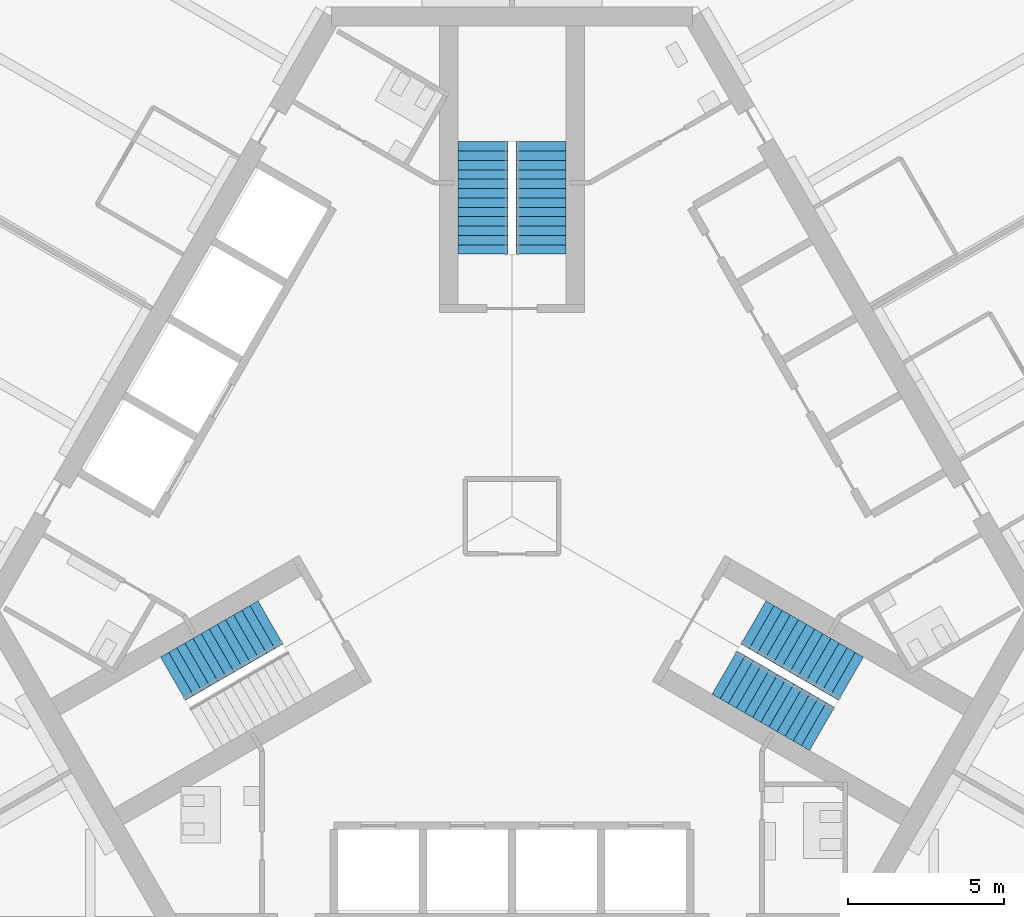
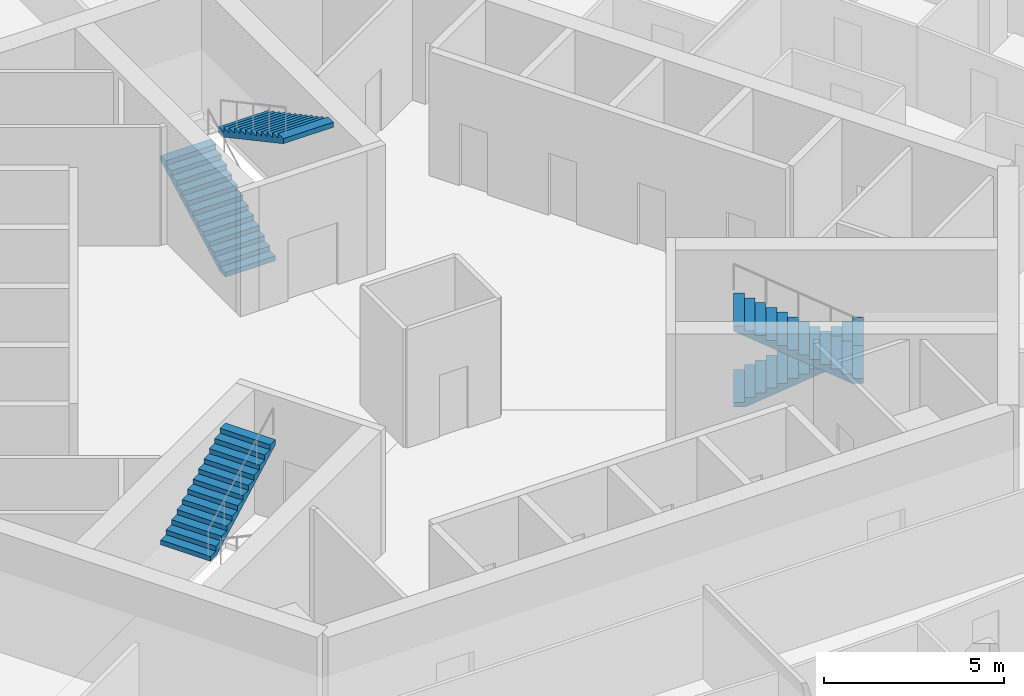
# One storey, part 11 of 16: 5 stair flights, 3 elements without a shape of their own.
"""IFC4 building model written with IfcOpenShell, lengths in metres."""

from ifc_helpers import new_model, si_unit, direction, frame, origin, place, context, subcontext, project, spatial, polyline, outline, extrude, material, type_object, element, aggregate, save


model = new_model("IFC4")

# Units and contexts
model_context = context("Model", 3, precision=1e-05, world=origin(), true_north=direction((0.0, 1.0)))
body_context = subcontext(model_context, "Body", "Model", "MODEL_VIEW")
ifc_project = project(units=[si_unit("LENGTHUNIT", "METRE"), si_unit("AREAUNIT", "SQUARE_METRE"), si_unit("VOLUMEUNIT", "CUBIC_METRE"), si_unit("PLANEANGLEUNIT", "RADIAN"), si_unit("MASSUNIT", "GRAM", prefix="KILO")], contexts=[model_context])

# Site, building, storey
site_placement = place(None, origin())
site = spatial("IfcSite", under=ifc_project, at=site_placement, CompositionType="ELEMENT")
building_placement = place(site_placement, origin())
building = spatial("IfcBuilding", under=site, at=building_placement, Name="Trefoil Bronze Tower", CompositionType="ELEMENT")
storey_placement = place(building_placement, frame((0.0, 0.0, 318.300048828125)))
storey = spatial("IfcBuildingStorey", under=building, at=storey_placement, Name="L73", CompositionType="ELEMENT", Elevation=318.300048828125)

# Stair, stair flights
ifc_material_1 = material(Name="Precast concrete B80", Category="concrete")
stair_type = type_object("IfcStairType", Name="Exit stair 26 risers", PredefinedType="HALF_TURN_STAIR", material=ifc_material_1)
stair_1_placement = place(storey_placement, origin())
stair_1 = element("IfcStair", 1, at=stair_1_placement, inside=storey, type_object=stair_type, Name="Stair ST1 L73", PredefinedType="HALF_TURN_STAIR")
ifc_material_2 = material(Name="Precast concrete B80", Category="concrete")
stair_flight_type = type_object("IfcStairFlightType", Name="Stair flight 1600", PredefinedType="STRAIGHT", material=ifc_material_2)
stair_flight_1_placement = place(storey_placement, frame((7.728515625, -3.39404296875, 0.0), z_axis=(0.0, 0.0, 1.0), x_axis=(0.866025403784, -0.5, 0.0)))
stair_flight_1 = element("IfcStairFlight", 2, at=stair_flight_1_placement, type_object=stair_flight_type, Name="ST1 flight 1", NumberOfRisers=13, NumberOfTreads=12, PredefinedType="STRAIGHT", RiserHeight=0.161538462, TreadLength=0.3, context=body_context, shape_type="SweptSolid", body=[
    extrude(outline(polyline([(0.0, 0.0), (0.0, 0.16162109375), (0.300048828125, 0.16162109375), (0.300048828125, 0.322998046875), (0.60009765625, 0.322998046875), (0.60009765625, 0.484619140625), (0.89990234375, 0.484619140625), (0.89990234375, 0.646240234375), (1.199951171875, 0.646240234375), (1.199951171875, 0.8076171875), (1.5, 0.8076171875), (1.5, 0.96923828125), (1.800048828125, 0.96923828125), (1.800048828125, 1.130859375), (2.10009765625, 1.130859375), (2.10009765625, 1.292236328125), (2.39990234375, 1.292236328125), (2.39990234375, 1.453857421875), (2.699951171875, 1.453857421875), (2.699951171875, 1.615478515625), (3.0, 1.615478515625), (3.0, 1.77685546875), (3.300048828125, 1.77685546875), (3.300048828125, 1.9384765625), (3.60009765625, 1.9384765625), (3.60009765625, 2.10009765625), (3.60009765625, 1.768310546875), (0.316162109375, 0.0), (0.0, 0.0)])), frame((0.0, 0.800048828125, 0.0), z_axis=(0.0, -1.0, 0.0), x_axis=(1.0, 0.0, 0.0)), (0.0, 0.0, 1.0), 1.60009765625),
])
stair_flight_2_placement = place(storey_placement, frame((9.921142578125, -6.796142578125, 2.099853515625), z_axis=(0.0, 0.0, 1.0), x_axis=(-0.866025403784, 0.5, 0.0)))
stair_flight_2 = element("IfcStairFlight", 3, at=stair_flight_2_placement, type_object=stair_flight_type, Name="ST1 flight 2", NumberOfRisers=13, NumberOfTreads=12, PredefinedType="STRAIGHT", RiserHeight=0.161538462, TreadLength=0.3, context=body_context, shape_type="SweptSolid", body=[
    extrude(outline(polyline([(0.0, 0.0), (0.0, 0.16162109375), (0.300048828125, 0.16162109375), (0.300048828125, 0.322998046875), (0.60009765625, 0.322998046875), (0.60009765625, 0.484619140625), (0.89990234375, 0.484619140625), (0.89990234375, 0.646240234375), (1.199951171875, 0.646240234375), (1.199951171875, 0.8076171875), (1.5, 0.8076171875), (1.5, 0.96923828125), (1.800048828125, 0.96923828125), (1.800048828125, 1.130859375), (2.10009765625, 1.130859375), (2.10009765625, 1.292236328125), (2.39990234375, 1.292236328125), (2.39990234375, 1.453857421875), (2.699951171875, 1.453857421875), (2.699951171875, 1.615478515625), (3.0, 1.615478515625), (3.0, 1.77685546875), (3.300048828125, 1.77685546875), (3.300048828125, 1.9384765625), (3.60009765625, 1.9384765625), (3.60009765625, 2.10009765625), (3.60009765625, 1.768310546875), (0.316162109375, 0.0), (0.0, 0.0)])), frame((0.0, 0.800048828125, 0.0), z_axis=(0.0, -1.0, 0.0), x_axis=(1.0, 0.0, 0.0)), (0.0, 0.0, 1.0), 1.60009765625),
])
aggregate(stair_1, [stair_flight_1, stair_flight_2])

stair_2_placement = place(storey_placement, origin())
stair_2 = element("IfcStair", 4, at=stair_2_placement, inside=storey, type_object=stair_type, Name="Stair ST2 L73", PredefinedType="HALF_TURN_STAIR")
stair_flight_3_placement = place(storey_placement, frame((-0.925048828125, 8.389892578125, 0.0), z_axis=(0.0, 0.0, 1.0), x_axis=(0.0, 1.0, 0.0)))
stair_flight_3 = element("IfcStairFlight", 5, at=stair_flight_3_placement, type_object=stair_flight_type, Name="ST2 flight 1", NumberOfRisers=13, NumberOfTreads=12, PredefinedType="STRAIGHT", RiserHeight=0.161538462, TreadLength=0.3, context=body_context, shape_type="SweptSolid", body=[
    extrude(outline(polyline([(0.0, 0.0), (0.0, 0.16162109375), (0.300048828125, 0.16162109375), (0.300048828125, 0.322998046875), (0.60009765625, 0.322998046875), (0.60009765625, 0.484619140625), (0.89990234375, 0.484619140625), (0.89990234375, 0.646240234375), (1.199951171875, 0.646240234375), (1.199951171875, 0.8076171875), (1.5, 0.8076171875), (1.5, 0.96923828125), (1.800048828125, 0.96923828125), (1.800048828125, 1.130859375), (2.10009765625, 1.130859375), (2.10009765625, 1.292236328125), (2.39990234375, 1.292236328125), (2.39990234375, 1.453857421875), (2.699951171875, 1.453857421875), (2.699951171875, 1.615478515625), (3.0, 1.615478515625), (3.0, 1.77685546875), (3.300048828125, 1.77685546875), (3.300048828125, 1.9384765625), (3.60009765625, 1.9384765625), (3.60009765625, 2.10009765625), (3.60009765625, 1.768310546875), (0.316162109375, 0.0), (0.0, 0.0)])), frame((0.0, 0.800048828125, 0.0), z_axis=(0.0, -1.0, 0.0), x_axis=(1.0, 0.0, 0.0)), (0.0, 0.0, 1.0), 1.60009765625),
])
stair_flight_4_placement = place(storey_placement, frame((0.925048828125, 11.989990234375, 2.099853515625), z_axis=(0.0, 0.0, 1.0), x_axis=(0.0, -1.0, 0.0)))
stair_flight_4 = element("IfcStairFlight", 6, at=stair_flight_4_placement, type_object=stair_flight_type, Name="ST2 flight 2", NumberOfRisers=13, NumberOfTreads=12, PredefinedType="STRAIGHT", RiserHeight=0.161538462, TreadLength=0.3, context=body_context, shape_type="SweptSolid", body=[
    extrude(outline(polyline([(0.0, 0.0), (0.0, 0.16162109375), (0.300048828125, 0.16162109375), (0.300048828125, 0.322998046875), (0.60009765625, 0.322998046875), (0.60009765625, 0.484619140625), (0.89990234375, 0.484619140625), (0.89990234375, 0.646240234375), (1.199951171875, 0.646240234375), (1.199951171875, 0.8076171875), (1.5, 0.8076171875), (1.5, 0.96923828125), (1.800048828125, 0.96923828125), (1.800048828125, 1.130859375), (2.10009765625, 1.130859375), (2.10009765625, 1.292236328125), (2.39990234375, 1.292236328125), (2.39990234375, 1.453857421875), (2.699951171875, 1.453857421875), (2.699951171875, 1.615478515625), (3.0, 1.615478515625), (3.0, 1.77685546875), (3.300048828125, 1.77685546875), (3.300048828125, 1.9384765625), (3.60009765625, 1.9384765625), (3.60009765625, 2.10009765625), (3.60009765625, 1.768310546875), (0.316162109375, 0.0), (0.0, 0.0)])), frame((0.0, 0.800048828125, 0.0), z_axis=(0.0, -1.0, 0.0), x_axis=(1.0, 0.0, 0.0)), (0.0, 0.0, 1.0), 1.60009765625),
])
aggregate(stair_2, [stair_flight_3, stair_flight_4])

# Stair, stair flight
stair_3_placement = place(storey_placement, origin())
stair_3 = element("IfcStair", 7, at=stair_3_placement, inside=storey, type_object=stair_type, Name="Stair ST3 L73", PredefinedType="HALF_TURN_STAIR")
stair_flight_5_placement = place(storey_placement, frame((-10.84619140625, -5.19384765625, 2.099853515625), z_axis=(0.0, 0.0, 1.0), x_axis=(0.866025403784, 0.5, 0.0)))
stair_flight_5 = element("IfcStairFlight", 8, at=stair_flight_5_placement, type_object=stair_flight_type, Name="ST3 flight 2", NumberOfRisers=13, NumberOfTreads=12, PredefinedType="STRAIGHT", RiserHeight=0.161538462, TreadLength=0.3, context=body_context, shape_type="SweptSolid", body=[
    extrude(outline(polyline([(0.0, 0.0), (0.0, 0.16162109375), (0.300048828125, 0.16162109375), (0.300048828125, 0.322998046875), (0.60009765625, 0.322998046875), (0.60009765625, 0.484619140625), (0.89990234375, 0.484619140625), (0.89990234375, 0.646240234375), (1.199951171875, 0.646240234375), (1.199951171875, 0.8076171875), (1.5, 0.8076171875), (1.5, 0.96923828125), (1.800048828125, 0.96923828125), (1.800048828125, 1.130859375), (2.10009765625, 1.130859375), (2.10009765625, 1.292236328125), (2.39990234375, 1.292236328125), (2.39990234375, 1.453857421875), (2.699951171875, 1.453857421875), (2.699951171875, 1.615478515625), (3.0, 1.615478515625), (3.0, 1.77685546875), (3.300048828125, 1.77685546875), (3.300048828125, 1.9384765625), (3.60009765625, 1.9384765625), (3.60009765625, 2.10009765625), (3.60009765625, 1.768310546875), (0.316162109375, 0.0), (0.0, 0.0)])), frame((0.0, 0.800048828125, 0.0), z_axis=(0.0, -1.0, 0.0), x_axis=(1.0, 0.0, 0.0)), (0.0, 0.0, 1.0), 1.60009765625),
])
aggregate(stair_3, [stair_flight_5])

save(model, "model.ifc")
